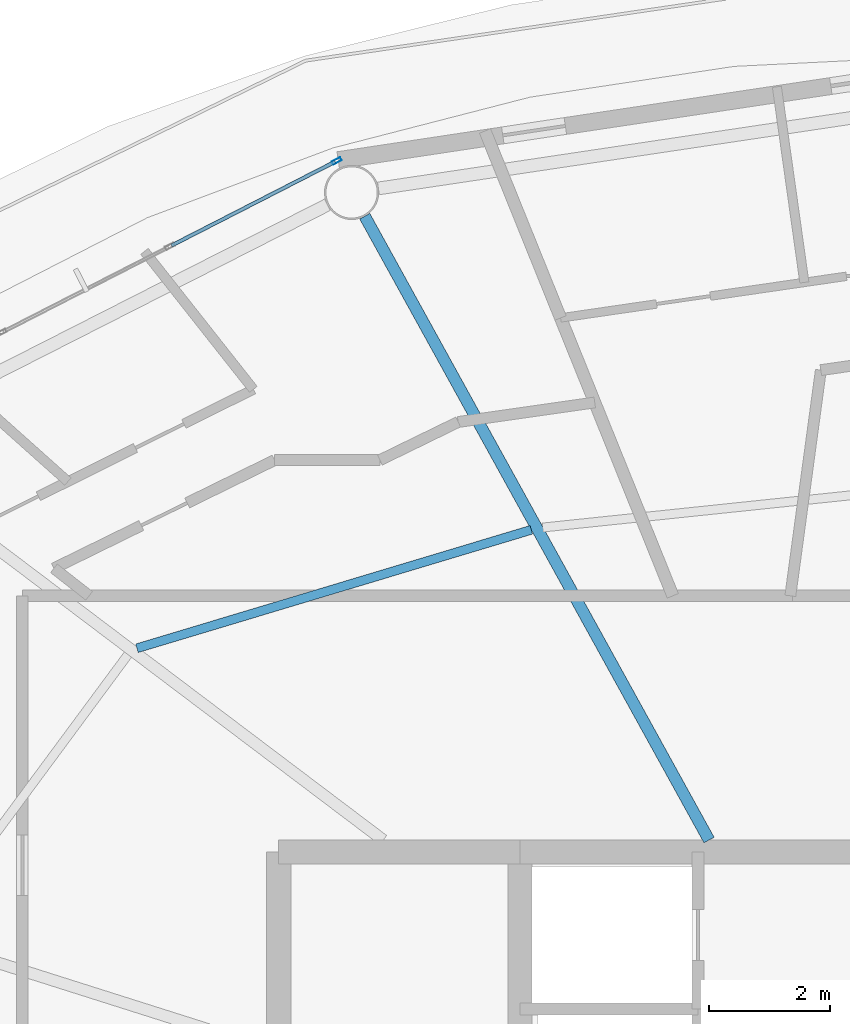
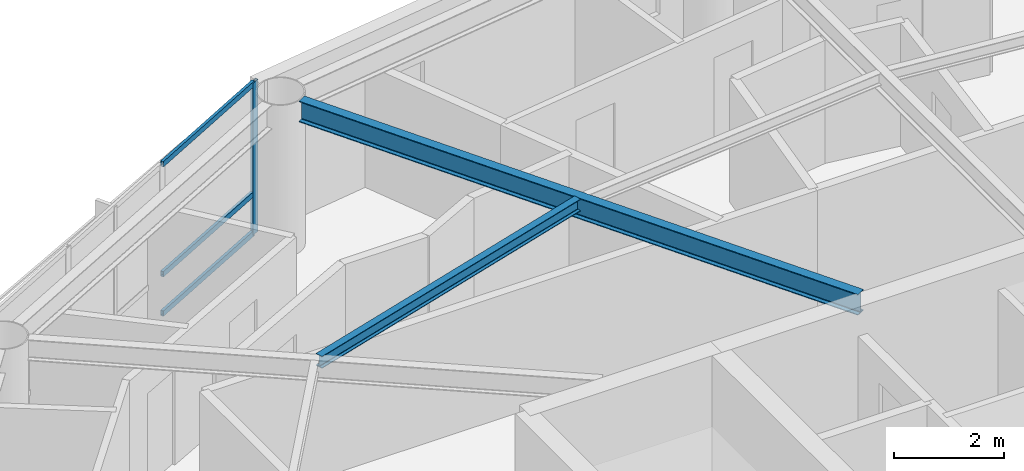
# One storey, part 9 of 23: 4 members, 2 beams, 1 element without a shape of its own.
"""IFC4 building model written with IfcOpenShell, lengths in metres."""

from ifc_helpers import new_model, si_unit, direction, frame, origin, origin_2d, place, context, subcontext, project, spatial, hollow_rectangle, i_section, extrude, material, layer, layer_set, material_profile, profile_set, type_object, element, aggregate, save


model = new_model("IFC4")

# Units and contexts
model_context = context("Model", 3, precision=1e-05, world=origin(), true_north=direction((0.0, 1.0)))
body_context = subcontext(model_context, "Body", "Model", "MODEL_VIEW")
ifc_project = project(units=[si_unit("LENGTHUNIT", "METRE"), si_unit("AREAUNIT", "SQUARE_METRE"), si_unit("VOLUMEUNIT", "CUBIC_METRE"), si_unit("PLANEANGLEUNIT", "RADIAN"), si_unit("MASSUNIT", "GRAM", prefix="KILO")], contexts=[model_context])

# Site, building, storey
site_placement = place(None, origin())
site = spatial("IfcSite", under=ifc_project, at=site_placement, CompositionType="ELEMENT")
building_placement = place(site_placement, origin())
building = spatial("IfcBuilding", under=site, at=building_placement, Name="Sarneth Arch Tower", CompositionType="ELEMENT")
storey_placement = place(building_placement, frame((0.0, 0.0, 228.0)))
storey = spatial("IfcBuildingStorey", under=building, at=storey_placement, Name="L58", CompositionType="ELEMENT", Elevation=228.0)

# Beams
ifc_material_1 = material(Name="Steel S355", Category="steel")
ifc_material_profile_1 = material_profile(ifc_material_1, i_section(OverallWidth=0.14794921875, OverallDepth=0.26611328125, WebThickness=0.007568359375, FlangeThickness=0.012939453125, FilletRadius=0.012939453125, at=origin_2d()), Name="W250x44.8")
ifc_profile_set_1 = profile_set([ifc_material_profile_1], Name="Steel S355")
beam_type_1 = type_object("IfcBeamType", Name="BM-JOIST-250", PredefinedType="JOIST", material=ifc_profile_set_1)
beam_1_placement = place(storey_placement, frame((41.189453125, 54.14453125, 3.22705078125), z_axis=(-0.957725851155, -0.287682453461, 0.0), x_axis=(0.287682453461, -0.957725851155, 0.0)))
element("IfcBeam", 1, at=beam_1_placement, inside=storey, type_object=beam_type_1, Name="L58 Secondary floor joist 06", PredefinedType="JOIST", context=body_context, shape_type="SweptSolid", body=[
    extrude(i_section(OverallWidth=0.14794921875, OverallDepth=0.26611328125, WebThickness=0.007568359375, FlangeThickness=0.012939453125, FilletRadius=0.012939453125, at=origin_2d()), origin(), (0.0, 0.0, 1.0), 6.828125),
])
ifc_material_2 = material(Name="Steel S355", Category="steel")
ifc_material_profile_2 = material_profile(ifc_material_2, i_section(OverallWidth=0.19189453125, OverallDepth=0.462890625, WebThickness=0.010498046875, FlangeThickness=0.017578125, FilletRadius=0.01806640625, at=origin_2d()), Name="W460x89")
ifc_profile_set_2 = profile_set([ifc_material_profile_2], Name="Steel S355")
beam_type_2 = type_object("IfcBeamType", Name="BM-RAD-460B", PredefinedType="BEAM", material=ifc_profile_set_2)
beam_2_placement = place(storey_placement, frame((44.13623046875, 49.0, 3.12841796875), z_axis=(-0.483218265038, 0.875499919094, 0.0), x_axis=(-0.875499919094, -0.483218265038, 0.0)))
element("IfcBeam", 2, at=beam_2_placement, inside=storey, type_object=beam_type_2, Name="L58 Radial floor girder 06", PredefinedType="BEAM", context=body_context, shape_type="SweptSolid", body=[
    extrude(i_section(OverallWidth=0.19189453125, OverallDepth=0.462890625, WebThickness=0.010498046875, FlangeThickness=0.017578125, FilletRadius=0.01806640625, at=origin_2d()), origin(), (0.0, 0.0, 1.0), 11.8154296875),
])

# Curtain wall, members
ifc_material_3 = material(Name="Anodised aluminium Type AA25 and solar-control low-e laminated IGU", Category="aluminium")
ifc_layer = layer(ifc_material_3, 0.179931640625)
ifc_layer_set = layer_set([ifc_layer], Name="Anodised aluminium Type AA25 and solar-control low-e laminated IGU")
curtain_wall_type = type_object("IfcCurtainWallType", Name="CW-RES-HIGH", PredefinedType="NOTDEFINED", material=ifc_layer_set)
curtain_wall_placement = place(storey_placement, origin())
curtain_wall = element("IfcCurtainWall", 3, at=curtain_wall_placement, inside=storey, type_object=curtain_wall_type, Name="L58 Unitised curtain wall facet 06", PredefinedType="NOTDEFINED")
ifc_material_4 = material(Name="Anodised Aluminium 6063-T6", Category="aluminium")
ifc_material_profile_3 = material_profile(ifc_material_4, hollow_rectangle(XDim=0.06005859375, YDim=0.159912109375, WallThickness=0.00390625, at=origin_2d()), Name="AL-MULL-160x60x4")
ifc_profile_set_3 = profile_set([ifc_material_profile_3], Name="Anodised Aluminium 6063-T6")
member_type_1 = type_object("IfcMemberType", Name="CW-MULLION", PredefinedType="MULLION", material=ifc_profile_set_3)
member_1_placement = place(storey_placement, frame((37.960693359375, 60.2607421875, 0.0), z_axis=(0.0, 0.0, 1.0), x_axis=(0.455941901753, -0.890009540525, 0.0)))
member_1 = element("IfcMember", 4, at=member_1_placement, type_object=member_type_1, Name="CW-SYS-6 mullion 1", PredefinedType="MULLION", context=body_context, shape_type="SweptSolid", body=[
    extrude(hollow_rectangle(XDim=0.06005859375, YDim=0.159912109375, WallThickness=0.00390625, at=origin_2d()), origin(), (0.0, 0.0, 1.0), 3.360107421875),
])
ifc_material_5 = material(Name="Anodised Aluminium 6063-T6", Category="aluminium")
ifc_material_profile_4 = material_profile(ifc_material_5, hollow_rectangle(XDim=0.06005859375, YDim=0.1201171875, WallThickness=0.00390625, at=origin_2d()), Name="AL-TRAN-120x60x4")
ifc_profile_set_4 = profile_set([ifc_material_profile_4], Name="Anodised Aluminium 6063-T6")
member_type_2 = type_object("IfcMemberType", Name="CW-TRANSOM", PredefinedType="USERDEFINED", material=ifc_profile_set_4)
member_2_placement = place(storey_placement, frame((37.933837890625, 60.2470703125, 0.030029296875), z_axis=(-0.889973523166, -0.456012201662, 0.0), x_axis=(0.456012201662, -0.889973523166, 0.0)))
member_2 = element("IfcMember", 5, at=member_2_placement, type_object=member_type_2, Name="CW-SYS-6 transom 1.1", ObjectType="TRANSOM", PredefinedType="USERDEFINED", context=body_context, shape_type="SweptSolid", body=[
    extrude(hollow_rectangle(XDim=0.06005859375, YDim=0.1201171875, WallThickness=0.00390625, at=origin_2d()), origin(), (0.0, 0.0, 1.0), 3.044677734375),
])
member_3_placement = place(storey_placement, frame((37.933837890625, 60.2470703125, 0.89990234375), z_axis=(-0.889973523166, -0.456012201662, 0.0), x_axis=(0.456012201662, -0.889973523166, 0.0)))
member_3 = element("IfcMember", 6, at=member_3_placement, type_object=member_type_2, Name="CW-SYS-6 transom 1.2", ObjectType="TRANSOM", PredefinedType="USERDEFINED", context=body_context, shape_type="SweptSolid", body=[
    extrude(hollow_rectangle(XDim=0.06005859375, YDim=0.1201171875, WallThickness=0.00390625, at=origin_2d()), origin(), (0.0, 0.0, 1.0), 3.044677734375),
])
member_4_placement = place(storey_placement, frame((37.933837890625, 60.2470703125, 3.330078125), z_axis=(-0.889973523166, -0.456012201662, 0.0), x_axis=(0.456012201662, -0.889973523166, 0.0)))
member_4 = element("IfcMember", 7, at=member_4_placement, type_object=member_type_2, Name="CW-SYS-6 transom 1.3", ObjectType="TRANSOM", PredefinedType="USERDEFINED", context=body_context, shape_type="SweptSolid", body=[
    extrude(hollow_rectangle(XDim=0.06005859375, YDim=0.1201171875, WallThickness=0.00390625, at=origin_2d()), origin(), (0.0, 0.0, 1.0), 3.044677734375),
])
aggregate(curtain_wall, [member_1, member_2, member_3, member_4])

save(model, "model.ifc")
